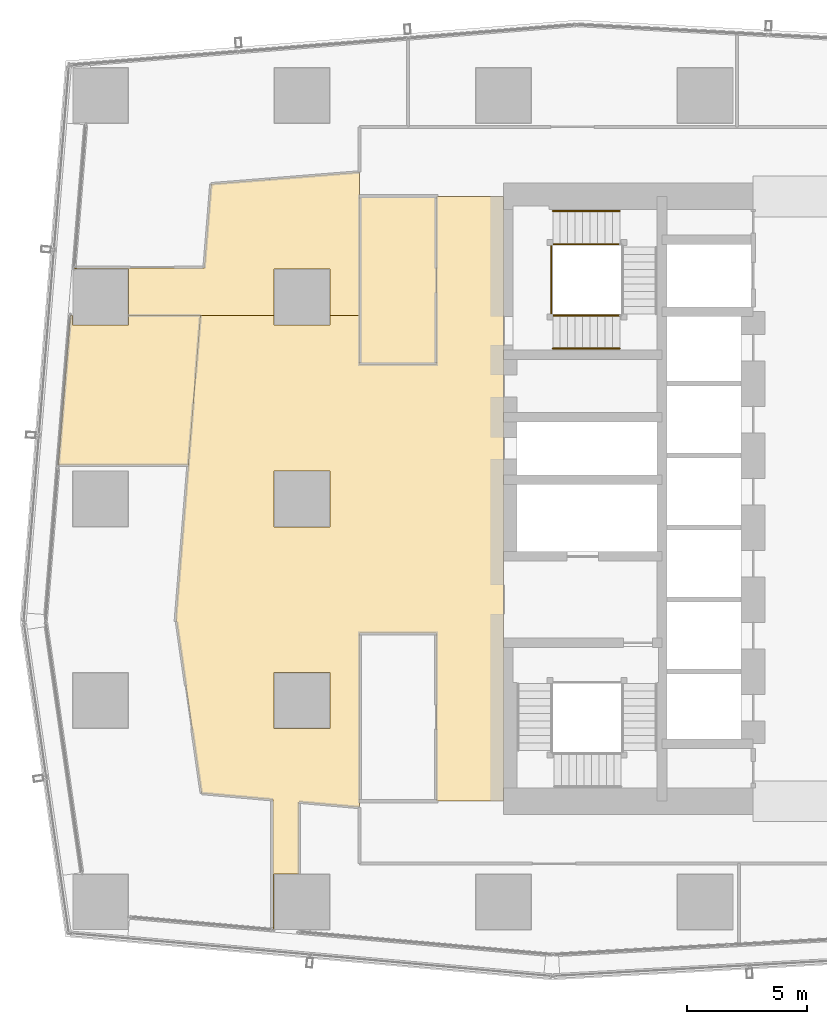
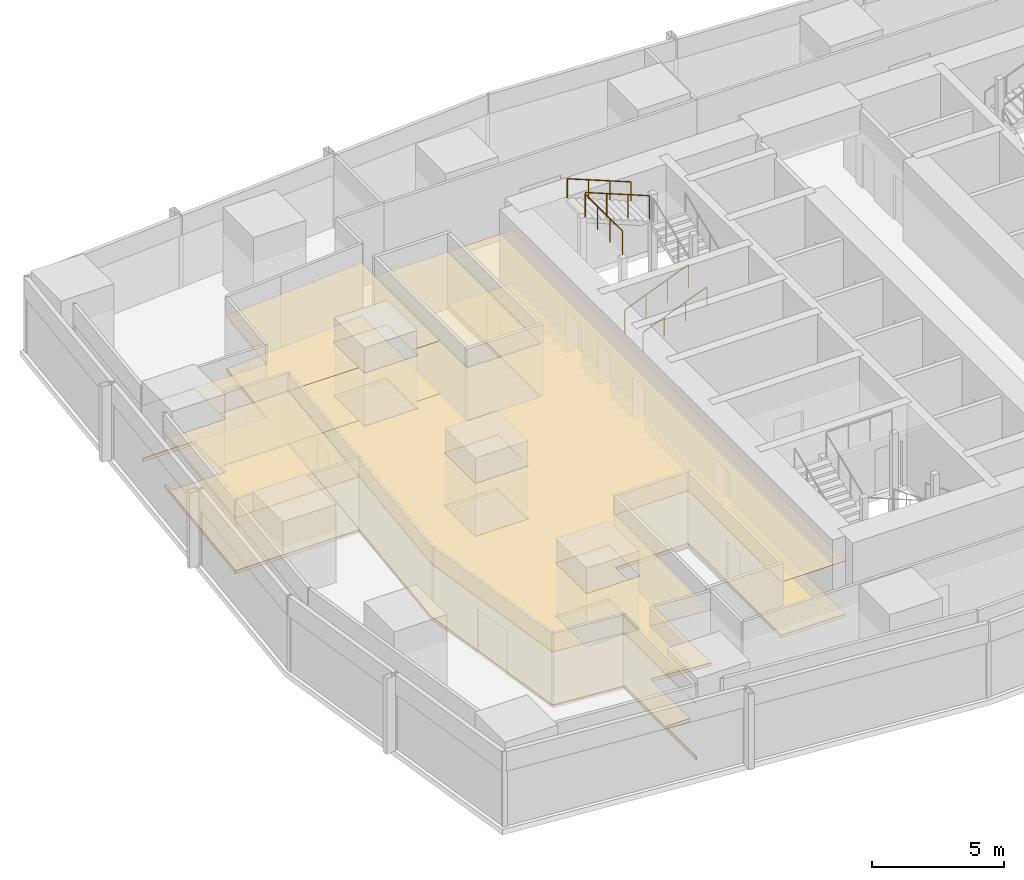
# One storey, part 27 of 32: 7 coverings, 5 railings.
"""IFC4 building model written with IfcOpenShell, lengths in metres."""

from ifc_helpers import new_model, si_unit, direction, frame, origin, origin_2d, place, context, subcontext, project, spatial, polyline, circle, outline, extrude, material, layer, layer_set, type_object, element, save


model = new_model("IFC4")

# Units and contexts
model_context = context("Model", 3, precision=1e-05, world=origin(), true_north=direction((0.0, 1.0)))
body_context = subcontext(model_context, "Body", "Model", "MODEL_VIEW")
ifc_project = project(units=[si_unit("LENGTHUNIT", "METRE"), si_unit("AREAUNIT", "SQUARE_METRE"), si_unit("VOLUMEUNIT", "CUBIC_METRE"), si_unit("PLANEANGLEUNIT", "RADIAN"), si_unit("MASSUNIT", "GRAM", prefix="KILO")], contexts=[model_context])

# Site, building, storey
site_placement = place(None, origin())
site = spatial("IfcSite", under=ifc_project, at=site_placement, CompositionType="ELEMENT")
building_placement = place(site_placement, origin())
building = spatial("IfcBuilding", under=site, at=building_placement, Name="Rekha Terrace Tower", CompositionType="ELEMENT")
storey_placement = place(building_placement, frame((0.0, 0.0, 250.10009765625)))
storey = spatial("IfcBuildingStorey", under=building, at=storey_placement, Name="L63", CompositionType="ELEMENT", Elevation=250.10009765625)

# Coverings
ifc_material_1 = material(Name="Mineral fibre tile in exposed grid", Category="finish")
ifc_layer_1 = layer(ifc_material_1, 0.02001953125)
ifc_layer_set_1 = layer_set([ifc_layer_1], Name="Mineral fibre tile in exposed grid")
covering_type_1 = type_object("IfcCoveringType", Name="CL1 600x1200 office grid ceiling", PredefinedType="CEILING", material=ifc_layer_set_1)
covering_1_placement = place(storey_placement, frame((0.0, 0.0, 2.579833984375)))
element("IfcCovering", 1, at=covering_1_placement, inside=storey, type_object=covering_type_1, Name="Ceiling L63-O1", PredefinedType="CEILING", context=body_context, shape_type="SweptSolid", body=[
    extrude(outline(polyline([(19.199951171875, 47.208984375), (15.4541015625, 46.909912109375), (13.013916015625, 46.716064453125), (12.72900390625, 43.2109375), (7.31103515625, 43.2109375), (7.306884765625, 43.1650390625), (9.56494140625, 43.1650390625), (9.56494140625, 41.2470703125), (15.635009765625, 41.2470703125), (15.635009765625, 43.1650390625), (17.965087890625, 43.1650390625), (17.965087890625, 41.2470703125), (19.199951171875, 41.2470703125), (19.199951171875, 47.208984375)])), origin(), (0.0, 0.0, 1.0), 0.02001953125),
])
covering_2_placement = place(storey_placement, frame((0.0, 0.0, 2.579833984375)))
element("IfcCovering", 2, at=covering_2_placement, inside=storey, type_object=covering_type_1, Name="Ceiling L63-09", PredefinedType="CEILING", context=body_context, shape_type="SweptSolid", body=[
    extrude(outline(polyline([(6.64306640625, 35.007080078125), (12.06103515625, 35.007080078125), (12.569091796875, 41.24609375), (9.56494140625, 41.24609375), (9.56494140625, 40.8349609375), (7.235107421875, 40.8349609375), (7.235107421875, 41.24609375), (7.15087890625, 41.24609375), (6.64306640625, 35.007080078125)])), origin(), (0.0, 0.0, 1.0), 0.02001953125),
])
covering_3_placement = place(storey_placement, frame((0.0, 0.0, 2.579833984375)))
element("IfcCovering", 3, at=covering_3_placement, inside=storey, type_object=covering_type_1, Name="Ceiling L63-O2b", PredefinedType="CEILING", context=body_context, shape_type="SweptSolid", body=[
    extrude(outline(polyline([(11.548095703125, 28.693115234375), (11.576904296875, 28.491943359375), (12.612060546875, 21.3330078125), (15.589111328125, 21.068115234375), (15.589111328125, 15.64697265625), (15.635009765625, 15.64306640625), (15.635009765625, 17.965087890625), (16.666015625, 17.965087890625), (16.666015625, 20.971923828125), (19.199951171875, 20.7470703125), (19.199951171875, 28.0), (22.39990234375, 28.0), (22.39990234375, 21.0), (25.199951171875, 21.0), (25.199951171875, 46.199951171875), (22.39990234375, 46.199951171875), (22.39990234375, 39.199951171875), (19.199951171875, 39.199951171875), (19.199951171875, 41.24609375), (17.965087890625, 41.24609375), (17.965087890625, 40.8349609375), (15.635009765625, 40.8349609375), (15.635009765625, 41.24609375), (12.569091796875, 41.24609375), (12.06103515625, 35.006103515625), (11.548095703125, 28.693115234375)]), holes=[polyline([(17.965087890625, 26.364990234375), (17.965087890625, 24.034912109375), (15.635009765625, 24.034912109375), (15.635009765625, 26.364990234375), (17.965087890625, 26.364990234375)]), polyline([(17.965087890625, 34.764892578125), (17.965087890625, 32.43505859375), (15.635009765625, 32.43505859375), (15.635009765625, 34.764892578125), (17.965087890625, 34.764892578125)])]), origin(), (0.0, 0.0, 1.0), 0.02001953125),
])
ifc_material_2 = material(Name="Fibre cement board", Category="finish")
ifc_layer_2 = layer(ifc_material_2, 0.014892578125)
ifc_layer_set_2 = layer_set([ifc_layer_2], Name="Fibre cement board")
covering_type_2 = type_object("IfcCoveringType", Name="CL2 moisture-resistant board ceiling", PredefinedType="CEILING", material=ifc_layer_set_2)
covering_4_placement = place(storey_placement, frame((0.0, 0.0, 2.5849609375)))
element("IfcCovering", 4, at=covering_4_placement, inside=storey, type_object=covering_type_2, Name="Ceiling L63-WCF2", PredefinedType="CEILING", context=body_context, shape_type="SweptSolid", body=[
    extrude(outline(polyline([(22.39990234375, 46.199951171875), (19.199951171875, 46.199951171875), (19.199951171875, 39.199951171875), (22.39990234375, 39.199951171875), (22.39990234375, 46.199951171875)])), origin(), (0.0, 0.0, 1.0), 0.014892578125),
])

# Railings
ifc_material_3 = material(Name="Stainless steel balustrade", Category="steel")
railing_type_1 = type_object("IfcRailingType", Name="GR1 1100 stair guard", PredefinedType="GUARDRAIL", material=ifc_material_3)
railing_1_placement = place(storey_placement, frame((27.25, 41.239990234375, 0.125)))
element("IfcRailing", 5, at=railing_1_placement, inside=storey, type_object=railing_type_1, Name="Guard ST4 L63 flight 1", PredefinedType="GUARDRAIL", context=body_context, shape_type="SweptSolid", body=[
    extrude(circle(Radius=0.02392578125, at=origin_2d()), frame((0.0, 0.0, 1.076171875), z_axis=(0.927443287984, 0.0, 0.373963831907), x_axis=(0.0, 1.0, 0.0)), (0.0, 0.0, 1.0), 3.00830078125),
    extrude(circle(Radius=0.02099609375, at=origin_2d()), origin(), (0.0, 0.0, 1.0), 1.052001953125),
    extrude(circle(Radius=0.02099609375, at=origin_2d()), frame((0.929931640625, 0.0, 0.375)), (0.0, 0.0, 1.0), 1.052001953125),
    extrude(circle(Radius=0.02099609375, at=origin_2d()), frame((1.860107421875, 0.0, 0.75)), (0.0, 0.0, 1.0), 1.052001953125),
    extrude(circle(Radius=0.02099609375, at=origin_2d()), frame((2.7900390625, 0.0, 1.125)), (0.0, 0.0, 1.0), 1.052001953125),
])
railing_2_placement = place(storey_placement, frame((30.0400390625, 44.2099609375, 2.625)))
element("IfcRailing", 6, at=railing_2_placement, inside=storey, type_object=railing_type_1, Name="Guard ST4 L63 flight 3", PredefinedType="GUARDRAIL", context=body_context, shape_type="SweptSolid", body=[
    extrude(circle(Radius=0.02392578125, at=origin_2d()), frame((0.0, 0.0, 1.076171875), z_axis=(-0.927443287984, 0.0, 0.373963831907), x_axis=(0.0, -1.0, 0.0)), (0.0, 0.0, 1.0), 3.00830078125),
    extrude(circle(Radius=0.02099609375, at=origin_2d()), origin(), (0.0, 0.0, 1.0), 1.052001953125),
    extrude(circle(Radius=0.02099609375, at=origin_2d()), frame((-0.929931640625, 0.0, 0.375)), (0.0, 0.0, 1.0), 1.052001953125),
    extrude(circle(Radius=0.02099609375, at=origin_2d()), frame((-1.860107421875, 0.0, 0.75)), (0.0, 0.0, 1.0), 1.052001953125),
    extrude(circle(Radius=0.02099609375, at=origin_2d()), frame((-2.7900390625, 0.0, 1.125)), (0.0, 0.0, 1.0), 1.052001953125),
])
railing_3_placement = place(storey_placement, frame((27.18994140625, 41.300048828125, 3.75)))
element("IfcRailing", 7, at=railing_3_placement, inside=storey, type_object=railing_type_1, Name="Guard ST4 L63 landing 4", PredefinedType="GUARDRAIL", context=body_context, shape_type="SweptSolid", body=[
    extrude(circle(Radius=0.02392578125, at=origin_2d()), frame((0.0, 0.0, 1.076171875), z_axis=(0.0, 1.0, 0.0), x_axis=(-1.0, 0.0, 0.0)), (0.0, 0.0, 1.0), 2.849853515625),
    extrude(circle(Radius=0.02099609375, at=origin_2d()), origin(), (0.0, 0.0, 1.0), 1.052001953125),
    extrude(circle(Radius=0.02099609375, at=origin_2d()), frame((0.0, 0.949951171875, 0.0)), (0.0, 0.0, 1.0), 1.052001953125),
    extrude(circle(Radius=0.02099609375, at=origin_2d()), frame((0.0, 1.89990234375, 0.0)), (0.0, 0.0, 1.0), 1.052001953125),
    extrude(circle(Radius=0.02099609375, at=origin_2d()), frame((0.0, 2.849853515625, 0.0)), (0.0, 0.0, 1.0), 1.052001953125),
])
ifc_material_4 = material(Name="Stainless steel tube", Category="steel")
railing_type_2 = type_object("IfcRailingType", Name="HR1 900 stair handrail", PredefinedType="HANDRAIL", material=ifc_material_4)
railing_4_placement = place(storey_placement, frame((27.25, 39.860107421875, 0.125)))
element("IfcRailing", 8, at=railing_4_placement, inside=storey, type_object=railing_type_2, Name="Handrail ST4 L63 flight 1", PredefinedType="HANDRAIL", context=body_context, shape_type="SweptSolid", body=[
    extrude(circle(Radius=0.02392578125, at=origin_2d()), frame((0.0, 0.0, 0.8759765625), z_axis=(0.927443287984, 0.0, 0.373963831907), x_axis=(0.0, 1.0, 0.0)), (0.0, 0.0, 1.0), 3.00830078125),
    extrude(circle(Radius=0.02099609375, at=origin_2d()), origin(), (0.0, 0.0, 1.0), 0.851806640625),
    extrude(circle(Radius=0.02099609375, at=origin_2d()), frame((0.929931640625, 0.0, 0.375)), (0.0, 0.0, 1.0), 0.851806640625),
    extrude(circle(Radius=0.02099609375, at=origin_2d()), frame((1.860107421875, 0.0, 0.75)), (0.0, 0.0, 1.0), 0.851806640625),
    extrude(circle(Radius=0.02099609375, at=origin_2d()), frame((2.7900390625, 0.0, 1.125)), (0.0, 0.0, 1.0), 0.851806640625),
])
railing_5_placement = place(storey_placement, frame((30.0400390625, 45.590087890625, 2.625)))
element("IfcRailing", 9, at=railing_5_placement, inside=storey, type_object=railing_type_2, Name="Handrail ST4 L63 flight 3", PredefinedType="HANDRAIL", context=body_context, shape_type="SweptSolid", body=[
    extrude(circle(Radius=0.02392578125, at=origin_2d()), frame((0.0, 0.0, 0.8759765625), z_axis=(-0.927443287984, 0.0, 0.373963831907), x_axis=(0.0, -1.0, 0.0)), (0.0, 0.0, 1.0), 3.00830078125),
    extrude(circle(Radius=0.02099609375, at=origin_2d()), origin(), (0.0, 0.0, 1.0), 0.851806640625),
    extrude(circle(Radius=0.02099609375, at=origin_2d()), frame((-0.929931640625, 0.0, 0.375)), (0.0, 0.0, 1.0), 0.851806640625),
    extrude(circle(Radius=0.02099609375, at=origin_2d()), frame((-1.860107421875, 0.0, 0.75)), (0.0, 0.0, 1.0), 0.851806640625),
    extrude(circle(Radius=0.02099609375, at=origin_2d()), frame((-2.7900390625, 0.0, 1.125)), (0.0, 0.0, 1.0), 0.851806640625),
])

# Coverings
ifc_material_5 = material(Name="Calcium sulphate panels on steel pedestals", Category="steel")
ifc_layer_3 = layer(ifc_material_5, 0.14990234375)
ifc_layer_set_3 = layer_set([ifc_layer_3], Name="Calcium sulphate panels on steel pedestals")
covering_type_3 = type_object("IfcCoveringType", Name="RF1 150 raised access floor", PredefinedType="FLOORING", material=ifc_layer_set_3)
covering_5_placement = place(storey_placement, origin())
element("IfcCovering", 10, at=covering_5_placement, inside=storey, type_object=covering_type_3, Name="Raised floor L63-O1", PredefinedType="FLOORING", context=body_context, shape_type="SweptSolid", body=[
    extrude(outline(polyline([(19.199951171875, 47.208984375), (15.4541015625, 46.909912109375), (13.013916015625, 46.716064453125), (12.72900390625, 43.2109375), (7.31103515625, 43.2109375), (7.306884765625, 43.1650390625), (9.56494140625, 43.1650390625), (9.56494140625, 41.2470703125), (15.635009765625, 41.2470703125), (15.635009765625, 43.1650390625), (17.965087890625, 43.1650390625), (17.965087890625, 41.2470703125), (19.199951171875, 41.2470703125), (19.199951171875, 47.208984375)])), origin(), (0.0, 0.0, 1.0), 0.14990234375),
])
covering_6_placement = place(storey_placement, origin())
element("IfcCovering", 11, at=covering_6_placement, inside=storey, type_object=covering_type_3, Name="Raised floor L63-09", PredefinedType="FLOORING", context=body_context, shape_type="SweptSolid", body=[
    extrude(outline(polyline([(6.64306640625, 35.007080078125), (12.06103515625, 35.007080078125), (12.569091796875, 41.24609375), (9.56494140625, 41.24609375), (9.56494140625, 40.8349609375), (7.235107421875, 40.8349609375), (7.235107421875, 41.24609375), (7.15087890625, 41.24609375), (6.64306640625, 35.007080078125)])), origin(), (0.0, 0.0, 1.0), 0.14990234375),
])
covering_7_placement = place(storey_placement, origin())
element("IfcCovering", 12, at=covering_7_placement, inside=storey, type_object=covering_type_3, Name="Raised floor L63-O2b", PredefinedType="FLOORING", context=body_context, shape_type="SweptSolid", body=[
    extrude(outline(polyline([(11.548095703125, 28.693115234375), (11.576904296875, 28.491943359375), (12.612060546875, 21.3330078125), (15.589111328125, 21.068115234375), (15.589111328125, 15.64697265625), (15.635009765625, 15.64306640625), (15.635009765625, 17.965087890625), (16.666015625, 17.965087890625), (16.666015625, 20.971923828125), (19.199951171875, 20.7470703125), (19.199951171875, 28.0), (22.39990234375, 28.0), (22.39990234375, 21.0), (25.199951171875, 21.0), (25.199951171875, 46.199951171875), (22.39990234375, 46.199951171875), (22.39990234375, 39.199951171875), (19.199951171875, 39.199951171875), (19.199951171875, 41.24609375), (17.965087890625, 41.24609375), (17.965087890625, 40.8349609375), (15.635009765625, 40.8349609375), (15.635009765625, 41.24609375), (12.569091796875, 41.24609375), (12.06103515625, 35.006103515625), (11.548095703125, 28.693115234375)]), holes=[polyline([(17.965087890625, 26.364990234375), (17.965087890625, 24.034912109375), (15.635009765625, 24.034912109375), (15.635009765625, 26.364990234375), (17.965087890625, 26.364990234375)]), polyline([(17.965087890625, 34.764892578125), (17.965087890625, 32.43505859375), (15.635009765625, 32.43505859375), (15.635009765625, 34.764892578125), (17.965087890625, 34.764892578125)])]), origin(), (0.0, 0.0, 1.0), 0.14990234375),
])

save(model, "model.ifc")
